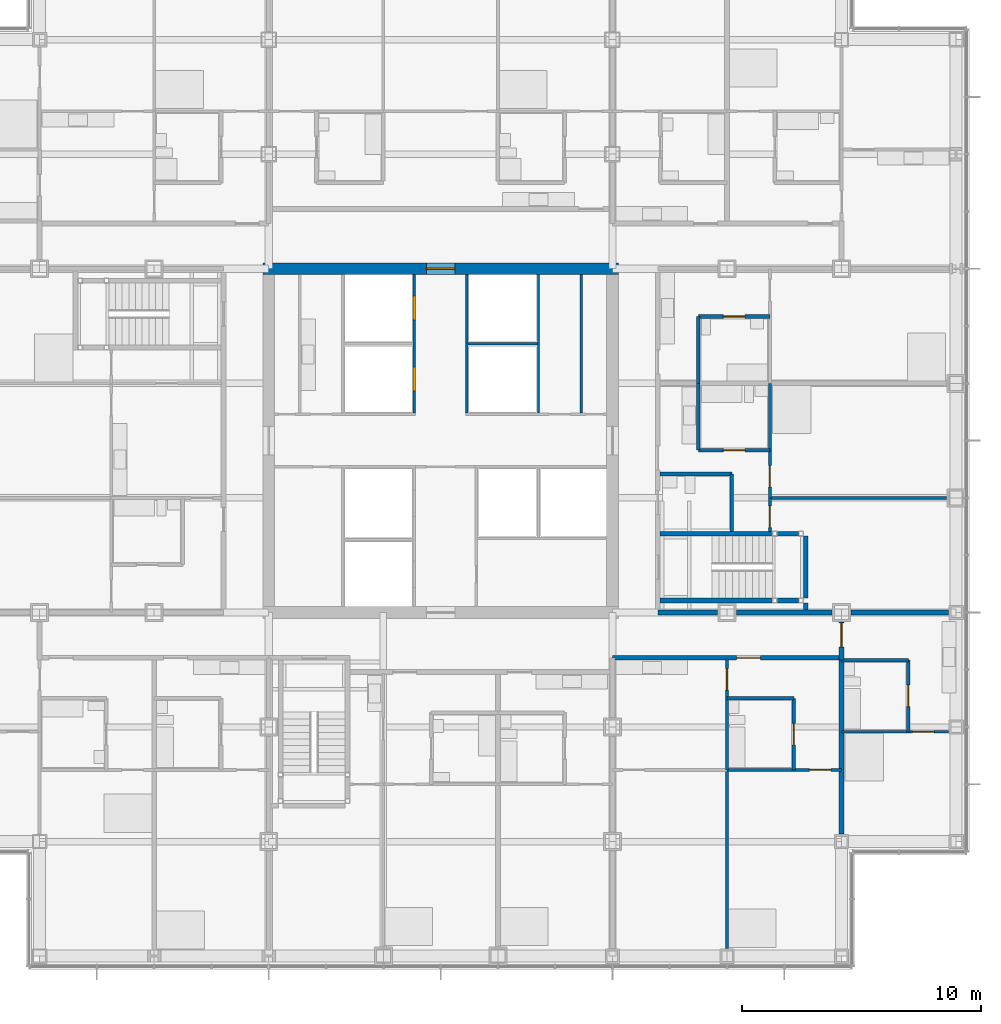
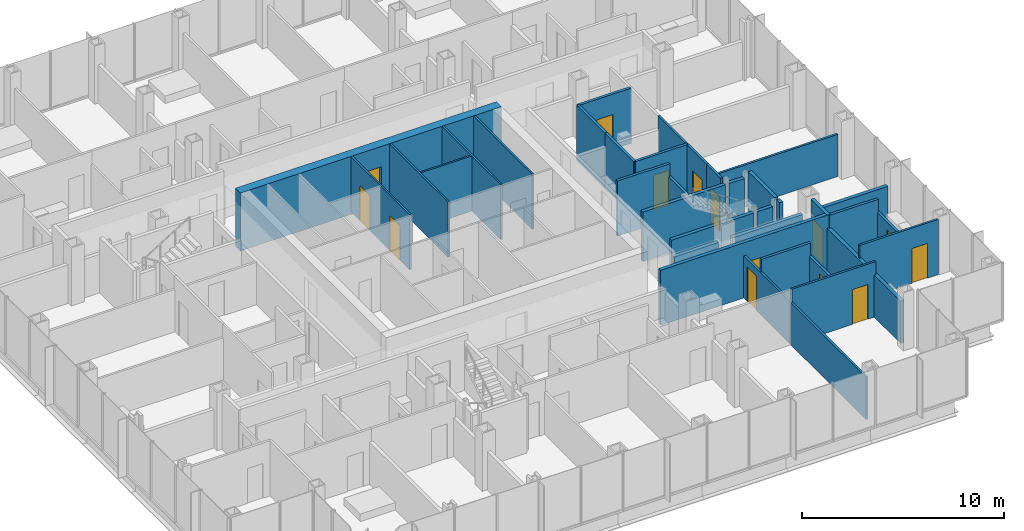
# One storey, part 16 of 21: 35 walls, 14 doors, 14 openings.
"""IFC4 building model written with IfcOpenShell, lengths in metres."""

from ifc_helpers import new_model, si_unit, direction, frame, frame_2d, origin, place, context, subcontext, project, spatial, rectangle, extrude, material, layer, layer_set, type_object, element, fill, save


model = new_model("IFC4")

# Units and contexts
model_context = context("Model", 3, precision=1e-05, world=origin(), true_north=direction((0.0, 1.0)))
body_context = subcontext(model_context, "Body", "Model", "MODEL_VIEW")
ifc_project = project(units=[si_unit("LENGTHUNIT", "METRE"), si_unit("AREAUNIT", "SQUARE_METRE"), si_unit("VOLUMEUNIT", "CUBIC_METRE"), si_unit("PLANEANGLEUNIT", "RADIAN"), si_unit("MASSUNIT", "GRAM", prefix="KILO")], contexts=[model_context])

# Site, building, storey
site_placement = place(None, origin())
site = spatial("IfcSite", under=ifc_project, at=site_placement, CompositionType="ELEMENT")
building_placement = place(site_placement, origin())
building = spatial("IfcBuilding", under=site, at=building_placement, Name="Kvirike Care Tower", CompositionType="ELEMENT")
storey_placement = place(building_placement, frame((0.0, 0.0, 37.5)))
storey = spatial("IfcBuildingStorey", under=building, at=storey_placement, Name="L09", CompositionType="ELEMENT", Elevation=37.5)

# Wall, opening, door
ifc_material_1 = material(Name="Moisture-resistant board partition", Category="gypsum")
ifc_layer_1 = layer(ifc_material_1, 0.14990234375)
ifc_layer_set_1 = layer_set([ifc_layer_1], Name="BATHROOM WALL 150")
wall_type_1 = type_object("IfcWallType", Name="BATHROOM WALL 150", PredefinedType="PARTITIONING", material=ifc_layer_set_1)
wall_1_placement = place(storey_placement, frame((36.39990234375, 22.199951171875, 0.0), z_axis=(0.0, 0.0, 1.0), x_axis=(0.0, 1.0, 0.0)))
wall_1 = element("IfcWall", 1, at=wall_1_placement, inside=storey, type_object=wall_type_1, Name="Bathroom Wall 150 L09", PredefinedType="PARTITIONING", context=body_context, shape_type="SweptSolid", body=[
    extrude(rectangle(XDim=3.0, YDim=0.14990234375, at=frame_2d((1.5, 0.0))), origin(), (0.0, 0.0, 1.0), 2.550048828125),
])
opening_1_placement = place(wall_1_placement, frame((1.050048828125, 0.0, 0.0)))
opening_1 = element("IfcOpeningElement", 2, at=opening_1_placement, cuts=wall_1, Name="Opening 09-039", PredefinedType="OPENING", context=body_context, shape_type="SweptSolid", body=[
    extrude(rectangle(XDim=0.89990234375, YDim=2.10009765625, at=frame_2d((0.449951171875, 1.050048828125))), frame((0.0, 0.08544921875, 0.0), z_axis=(0.0, -1.0, 0.0), x_axis=(1.0, 0.0, 0.0)), (0.0, 0.0, 1.0), 0.1708984375),
])
ifc_material_2 = material(Name="Timber door set", Category="wood")
door_type_1 = type_object("IfcDoorType", Name="BATHROOM DOOR 900", OperationType="SINGLE_SWING_RIGHT", PredefinedType="DOOR", material=ifc_material_2)
door_1_placement = place(opening_1_placement, origin())
door_1 = element("IfcDoor", 3, at=door_1_placement, inside=storey, type_object=door_type_1, Name="Bathroom door", OperationType="SINGLE_SWING_RIGHT", OverallHeight=2.10009765625, OverallWidth=0.89990234375, PredefinedType="DOOR", context=body_context, shape_type="SweptSolid", body=[
    extrude(rectangle(XDim=0.89990234375, YDim=2.10009765625, at=frame_2d((0.449951171875, 1.050048828125))), frame((0.0, 0.02197265625, 0.0), z_axis=(0.0, -1.0, 0.0), x_axis=(1.0, 0.0, 0.0)), (0.0, 0.0, 1.0), 0.0439453125),
])
fill(opening_1, door_1)

# Wall
wall_2_placement = place(storey_placement, frame((33.60009765625, 25.199951171875, 0.0), z_axis=(0.0, 0.0, 1.0), x_axis=(1.0, 0.0, 0.0)))
element("IfcWall", 4, at=wall_2_placement, inside=storey, type_object=wall_type_1, Name="Bathroom Wall 150 L09", PredefinedType="PARTITIONING", context=body_context, shape_type="SweptSolid", body=[
    extrude(rectangle(XDim=2.7998046875, YDim=0.14990234375, at=frame_2d((1.39990234375, 0.0))), origin(), (0.0, 0.0, 1.0), 3.330078125),
])

# Wall, opening, door
wall_3_placement = place(storey_placement, frame((41.199951171875, 23.800048828125, 0.0), z_axis=(0.0, 0.0, 1.0), x_axis=(0.0, 1.0, 0.0)))
wall_3 = element("IfcWall", 5, at=wall_3_placement, inside=storey, type_object=wall_type_1, Name="Bathroom Wall 150 L09", PredefinedType="PARTITIONING", context=body_context, shape_type="SweptSolid", body=[
    extrude(rectangle(XDim=3.0, YDim=0.14990234375, at=frame_2d((1.5, 0.0))), origin(), (0.0, 0.0, 1.0), 2.550048828125),
])
opening_2_placement = place(wall_3_placement, frame((1.050048828125, 0.0, 0.0)))
opening_2 = element("IfcOpeningElement", 6, at=opening_2_placement, cuts=wall_3, Name="Opening 09-043", PredefinedType="OPENING", context=body_context, shape_type="SweptSolid", body=[
    extrude(rectangle(XDim=0.89990234375, YDim=2.10009765625, at=frame_2d((0.449951171875, 1.050048828125))), frame((0.0, 0.08544921875, 0.0), z_axis=(0.0, -1.0, 0.0), x_axis=(1.0, 0.0, 0.0)), (0.0, 0.0, 1.0), 0.1708984375),
])
door_2_placement = place(opening_2_placement, origin())
door_2 = element("IfcDoor", 7, at=door_2_placement, inside=storey, type_object=door_type_1, Name="Bathroom door", OperationType="SINGLE_SWING_RIGHT", OverallHeight=2.10009765625, OverallWidth=0.89990234375, PredefinedType="DOOR", context=body_context, shape_type="SweptSolid", body=[
    extrude(rectangle(XDim=0.89990234375, YDim=2.10009765625, at=frame_2d((0.449951171875, 1.050048828125))), frame((0.0, 0.02197265625, 0.0), z_axis=(0.0, -1.0, 0.0), x_axis=(1.0, 0.0, 0.0)), (0.0, 0.0, 1.0), 0.0439453125),
])
fill(opening_2, door_2)

# Walls
wall_4_placement = place(storey_placement, frame((38.39990234375, 26.800048828125, 0.0), z_axis=(0.0, 0.0, 1.0), x_axis=(1.0, 0.0, 0.0)))
element("IfcWall", 8, at=wall_4_placement, inside=storey, type_object=wall_type_1, Name="Bathroom Wall 150 L09", PredefinedType="PARTITIONING", context=body_context, shape_type="SweptSolid", body=[
    extrude(rectangle(XDim=2.800048828125, YDim=0.14990234375, at=frame_2d((1.39990234375, 0.0))), origin(), (0.0, 0.0, 1.0), 3.330078125),
])
wall_5_placement = place(storey_placement, frame((33.800048828125, 32.199951171875, 0.0), z_axis=(0.0, 0.0, 1.0), x_axis=(0.0, 1.0, 0.0)))
element("IfcWall", 9, at=wall_5_placement, inside=storey, type_object=wall_type_1, Name="Bathroom Wall 150 L09", PredefinedType="PARTITIONING", context=body_context, shape_type="SweptSolid", body=[
    extrude(rectangle(XDim=2.400146484375, YDim=0.14990234375, at=frame_2d((1.2001953125, 0.0))), origin(), (0.0, 0.0, 1.0), 2.550048828125),
])
wall_6_placement = place(storey_placement, frame((33.800048828125, 34.60009765625, 0.0), z_axis=(0.0, 0.0, 1.0), x_axis=(-1.0, 0.0, 0.0)))
element("IfcWall", 10, at=wall_6_placement, inside=storey, type_object=wall_type_1, Name="Bathroom Wall 150 L09", PredefinedType="PARTITIONING", context=body_context, shape_type="SweptSolid", body=[
    extrude(rectangle(XDim=3.0, YDim=0.14990234375, at=frame_2d((1.5, 0.0))), origin(), (0.0, 0.0, 1.0), 3.330078125),
])

# Wall, opening, door
wall_7_placement = place(storey_placement, frame((35.39990234375, 35.60009765625, 0.0), z_axis=(0.0, 0.0, 1.0), x_axis=(-1.0, 0.0, 0.0)))
wall_7 = element("IfcWall", 11, at=wall_7_placement, inside=storey, type_object=wall_type_1, Name="Bathroom Wall 150 L09", PredefinedType="PARTITIONING", context=body_context, shape_type="SweptSolid", body=[
    extrude(rectangle(XDim=3.0, YDim=0.14990234375, at=frame_2d((1.5, 0.0))), origin(), (0.0, 0.0, 1.0), 3.330078125),
])
opening_3_placement = place(wall_7_placement, frame((1.050048828125, 0.0, 0.0)))
opening_3 = element("IfcOpeningElement", 12, at=opening_3_placement, cuts=wall_7, Name="Opening 09-047", PredefinedType="OPENING", context=body_context, shape_type="SweptSolid", body=[
    extrude(rectangle(XDim=0.89990234375, YDim=2.10009765625, at=frame_2d((0.449951171875, 1.050048828125))), frame((0.0, 0.08544921875, 0.0), z_axis=(0.0, -1.0, 0.0), x_axis=(1.0, 0.0, 0.0)), (0.0, 0.0, 1.0), 0.1708984375),
])
door_3_placement = place(opening_3_placement, frame((0.89990234375, 0.0, 0.0), z_axis=(0.0, 0.0, 1.0), x_axis=(-1.0, 0.0, 0.0)))
door_3 = element("IfcDoor", 13, at=door_3_placement, inside=storey, type_object=door_type_1, Name="Bathroom door", OperationType="SINGLE_SWING_LEFT", OverallHeight=2.10009765625, OverallWidth=0.89990234375, PredefinedType="DOOR", context=body_context, shape_type="SweptSolid", body=[
    extrude(rectangle(XDim=0.89990234375, YDim=2.10009765625, at=frame_2d((0.449951171875, 1.050048828125))), frame((0.0, 0.02197265625, 0.0), z_axis=(0.0, -1.0, 0.0), x_axis=(1.0, 0.0, 0.0)), (0.0, 0.0, 1.0), 0.0439453125),
])
fill(opening_3, door_3)

# Wall
wall_8_placement = place(storey_placement, frame((32.39990234375, 35.60009765625, 0.0), z_axis=(0.0, 0.0, 1.0), x_axis=(0.0, 1.0, 0.0)))
element("IfcWall", 14, at=wall_8_placement, inside=storey, type_object=wall_type_1, Name="Bathroom Wall 150 L09", PredefinedType="PARTITIONING", context=body_context, shape_type="SweptSolid", body=[
    extrude(rectangle(XDim=2.7998046875, YDim=0.14990234375, at=frame_2d((1.39990234375, 0.0))), origin(), (0.0, 0.0, 1.0), 3.330078125),
])

# Wall, opening, door
wall_9_placement = place(storey_placement, frame((35.39990234375, 41.199951171875, 0.0), z_axis=(0.0, 0.0, 1.0), x_axis=(-1.0, 0.0, 0.0)))
wall_9 = element("IfcWall", 15, at=wall_9_placement, inside=storey, type_object=wall_type_1, Name="Bathroom Wall 150 L09", PredefinedType="PARTITIONING", context=body_context, shape_type="SweptSolid", body=[
    extrude(rectangle(XDim=3.0, YDim=0.14990234375, at=frame_2d((1.5, 0.0))), origin(), (0.0, 0.0, 1.0), 3.330078125),
])
opening_4_placement = place(wall_9_placement, frame((1.050048828125, 0.0, 0.0)))
opening_4 = element("IfcOpeningElement", 16, at=opening_4_placement, cuts=wall_9, Name="Opening 09-050", PredefinedType="OPENING", context=body_context, shape_type="SweptSolid", body=[
    extrude(rectangle(XDim=0.89990234375, YDim=2.10009765625, at=frame_2d((0.449951171875, 1.050048828125))), frame((0.0, 0.08544921875, 0.0), z_axis=(0.0, -1.0, 0.0), x_axis=(1.0, 0.0, 0.0)), (0.0, 0.0, 1.0), 0.1708984375),
])
door_4_placement = place(opening_4_placement, origin())
door_4 = element("IfcDoor", 17, at=door_4_placement, inside=storey, type_object=door_type_1, Name="Bathroom door", OperationType="SINGLE_SWING_RIGHT", OverallHeight=2.10009765625, OverallWidth=0.89990234375, PredefinedType="DOOR", context=body_context, shape_type="SweptSolid", body=[
    extrude(rectangle(XDim=0.89990234375, YDim=2.10009765625, at=frame_2d((0.449951171875, 1.050048828125))), frame((0.0, 0.02197265625, 0.0), z_axis=(0.0, -1.0, 0.0), x_axis=(1.0, 0.0, 0.0)), (0.0, 0.0, 1.0), 0.0439453125),
])
fill(opening_4, door_4)

# Wall
wall_10_placement = place(storey_placement, frame((32.39990234375, 38.39990234375, 0.0), z_axis=(0.0, 0.0, 1.0), x_axis=(0.0, 1.0, 0.0)))
element("IfcWall", 18, at=wall_10_placement, inside=storey, type_object=wall_type_1, Name="Bathroom Wall 150 L09", PredefinedType="PARTITIONING", context=body_context, shape_type="SweptSolid", body=[
    extrude(rectangle(XDim=2.800048828125, YDim=0.14990234375, at=frame_2d((1.39990234375, 0.0))), origin(), (0.0, 0.0, 1.0), 3.330078125),
])

# Wall, opening, door
ifc_material_3 = material(Name="Concrete C60/75", Category="concrete")
ifc_layer_2 = layer(ifc_material_3, 0.5)
ifc_layer_set_2 = layer_set([ifc_layer_2], Name="CORE WALL 500 C60-75")
wall_type_2 = type_object("IfcWallType", Name="CORE WALL 500 C60-75", PredefinedType="SHEAR", material=ifc_layer_set_2)
wall_11_placement = place(storey_placement, frame((29.050048828125, 43.199951171875, -0.169921875), z_axis=(0.0, 0.0, 1.0), x_axis=(-1.0, 0.0, 0.0)))
wall_11 = element("IfcWall", 19, at=wall_11_placement, inside=storey, type_object=wall_type_2, Name="Core wall N L09", PredefinedType="SHEAR", context=body_context, shape_type="SweptSolid", body=[
    extrude(rectangle(XDim=14.900146484375, YDim=0.5, at=frame_2d((7.4501953125, 0.0))), origin(), (0.0, 0.0, 1.0), 3.5),
])
opening_5_placement = place(wall_11_placement, frame((6.85009765625, 0.0, 0.169921875)))
opening_5 = element("IfcOpeningElement", 20, at=opening_5_placement, cuts=wall_11, Name="Opening 09-078", PredefinedType="OPENING", context=body_context, shape_type="SweptSolid", body=[
    extrude(rectangle(XDim=1.199951171875, YDim=2.10009765625, at=frame_2d((0.60009765625, 1.050048828125))), frame((0.0, 0.260498046875, 0.0), z_axis=(0.0, -1.0, 0.0), x_axis=(1.0, 0.0, 0.0)), (0.0, 0.0, 1.0), 0.52099609375),
])
ifc_material_4 = material(Name="Timber door set", Category="wood")
door_type_2 = type_object("IfcDoorType", Name="CORE DOOR 1200", OperationType="SINGLE_SWING_LEFT", PredefinedType="DOOR", material=ifc_material_4)
door_5_placement = place(opening_5_placement, origin())
door_5 = element("IfcDoor", 21, at=door_5_placement, inside=storey, type_object=door_type_2, Name="Core door N L09", OperationType="SINGLE_SWING_LEFT", OverallHeight=2.10009765625, OverallWidth=1.199951171875, PredefinedType="DOOR", context=body_context, shape_type="SweptSolid", body=[
    extrude(rectangle(XDim=1.199951171875, YDim=2.10009765625, at=frame_2d((0.60009765625, 1.050048828125))), frame((0.0, 0.02685546875, 0.0), z_axis=(0.0, -1.0, 0.0), x_axis=(1.0, 0.0, 0.0)), (0.0, 0.0, 1.0), 0.053955078125),
])
fill(opening_5, door_5)

ifc_material_5 = material(Name="Plasterboard corridor wall", Category="gypsum")
ifc_layer_3 = layer(ifc_material_5, 0.199951171875)
ifc_layer_set_3 = layer_set([ifc_layer_3], Name="CORRIDOR WALL 200")
wall_type_3 = type_object("IfcWallType", Name="CORRIDOR WALL 200", PredefinedType="PARTITIONING", material=ifc_layer_set_3)
wall_12_placement = place(storey_placement, frame((28.800048828125, 26.89990234375, 0.0), z_axis=(0.0, 0.0, 1.0), x_axis=(1.0, 0.0, 0.0)))
wall_12 = element("IfcWall", 22, at=wall_12_placement, inside=storey, type_object=wall_type_3, Name="Corridor Wall 200 L09", PredefinedType="PARTITIONING", context=body_context, shape_type="SweptSolid", body=[
    extrude(rectangle(XDim=9.599853515625, YDim=0.199951171875, at=frame_2d((4.7998046875, 0.0))), origin(), (0.0, 0.0, 1.0), 3.330078125),
])
opening_6_placement = place(wall_12_placement, frame((5.199951171875, 0.0, 0.0)))
opening_6 = element("IfcOpeningElement", 23, at=opening_6_placement, cuts=wall_12, Name="Opening 09-045", PredefinedType="OPENING", context=body_context, shape_type="SweptSolid", body=[
    extrude(rectangle(XDim=1.0, YDim=2.10009765625, at=frame_2d((0.5, 1.050048828125))), frame((0.0, 0.110595703125, 0.0), z_axis=(0.0, -1.0, 0.0), x_axis=(1.0, 0.0, 0.0)), (0.0, 0.0, 1.0), 0.220947265625),
])
ifc_material_6 = material(Name="Timber door set", Category="wood")
door_type_3 = type_object("IfcDoorType", Name="FLAT ENTRANCE DOOR 1000", OperationType="SINGLE_SWING_LEFT", PredefinedType="DOOR", material=ifc_material_6)
door_6_placement = place(opening_6_placement, frame((1.0, 0.0, 0.0), z_axis=(0.0, 0.0, 1.0), x_axis=(-1.0, 0.0, 0.0)))
door_6 = element("IfcDoor", 24, at=door_6_placement, inside=storey, type_object=door_type_3, Name="One-bedroom apartment entrance", OperationType="SINGLE_SWING_LEFT", OverallHeight=2.10009765625, OverallWidth=1.0, PredefinedType="DOOR", context=body_context, shape_type="SweptSolid", body=[
    extrude(rectangle(XDim=1.0, YDim=2.10009765625, at=frame_2d((0.5, 1.050048828125))), frame((0.0, 0.02685546875, 0.0), z_axis=(0.0, -1.0, 0.0), x_axis=(1.0, 0.0, 0.0)), (0.0, 0.0, 1.0), 0.053955078125),
])
fill(opening_6, door_6)

wall_13_placement = place(storey_placement, frame((38.39990234375, 26.800048828125, 0.0), z_axis=(0.0, 0.0, 1.0), x_axis=(0.0, 1.0, 0.0)))
wall_13 = element("IfcWall", 25, at=wall_13_placement, inside=storey, type_object=wall_type_3, Name="Corridor Wall 200 L09", PredefinedType="PARTITIONING", context=body_context, shape_type="SweptSolid", body=[
    extrude(rectangle(XDim=1.60498046875, YDim=0.199951171875, at=frame_2d((0.802490234375, 0.0))), origin(), (0.0, 0.0, 1.0), 3.330078125),
])
opening_7_placement = place(wall_13_placement, frame((0.550048828125, 0.0, 0.0)))
opening_7 = element("IfcOpeningElement", 26, at=opening_7_placement, cuts=wall_13, Name="Opening 09-046", PredefinedType="OPENING", context=body_context, shape_type="SweptSolid", body=[
    extrude(rectangle(XDim=1.0, YDim=2.10009765625, at=frame_2d((0.5, 1.050048828125))), frame((0.0, 0.110595703125, 0.0), z_axis=(0.0, -1.0, 0.0), x_axis=(1.0, 0.0, 0.0)), (0.0, 0.0, 1.0), 0.220947265625),
])
door_7_placement = place(opening_7_placement, frame((1.0, 0.0, 0.0), z_axis=(0.0, 0.0, 1.0), x_axis=(-1.0, 0.0, 0.0)))
door_7 = element("IfcDoor", 27, at=door_7_placement, inside=storey, type_object=door_type_3, Name="Studio apartment entrance", OperationType="SINGLE_SWING_RIGHT", OverallHeight=2.10009765625, OverallWidth=1.0, PredefinedType="DOOR", context=body_context, shape_type="SweptSolid", body=[
    extrude(rectangle(XDim=1.0, YDim=2.10009765625, at=frame_2d((0.5, 1.050048828125))), frame((0.0, 0.02685546875, 0.0), z_axis=(0.0, -1.0, 0.0), x_axis=(1.0, 0.0, 0.0)), (0.0, 0.0, 1.0), 0.053955078125),
])
fill(opening_7, door_7)

ifc_material_7 = material(Name="Plasterboard partition", Category="gypsum")
ifc_layer_4 = layer(ifc_material_7, 0.1201171875)
ifc_layer_set_4 = layer_set([ifc_layer_4], Name="PARTITION 120")
wall_type_4 = type_object("IfcWallType", Name="PARTITION 120", PredefinedType="PARTITIONING", material=ifc_layer_set_4)
wall_14_placement = place(storey_placement, frame((33.60009765625, 22.199951171875, 0.0), z_axis=(0.0, 0.0, 1.0), x_axis=(0.0, 1.0, 0.0)))
wall_14 = element("IfcWall", 28, at=wall_14_placement, inside=storey, type_object=wall_type_4, Name="Partition 120 L09", PredefinedType="PARTITIONING", context=body_context, shape_type="SweptSolid", body=[
    extrude(rectangle(XDim=4.650146484375, YDim=0.1201171875, at=frame_2d((2.3251953125, 0.0))), origin(), (0.0, 0.0, 1.0), 2.550048828125),
])
opening_8_placement = place(wall_14_placement, frame((3.35009765625, 0.0, 0.0)))
opening_8 = element("IfcOpeningElement", 29, at=opening_8_placement, cuts=wall_14, Name="Opening 09-040", PredefinedType="OPENING", context=body_context, shape_type="SweptSolid", body=[
    extrude(rectangle(XDim=0.89990234375, YDim=2.10009765625, at=frame_2d((0.449951171875, 1.050048828125))), frame((0.0, 0.070556640625, 0.0), z_axis=(0.0, -1.0, 0.0), x_axis=(1.0, 0.0, 0.0)), (0.0, 0.0, 1.0), 0.14111328125),
])
ifc_material_8 = material(Name="Timber door set", Category="wood")
door_type_4 = type_object("IfcDoorType", Name="INTERNAL DOOR 900", OperationType="SINGLE_SWING_LEFT", PredefinedType="DOOR", material=ifc_material_8)
door_8_placement = place(opening_8_placement, origin())
door_8 = element("IfcDoor", 30, at=door_8_placement, inside=storey, type_object=door_type_4, Name="Hall door", OperationType="SINGLE_SWING_LEFT", OverallHeight=2.10009765625, OverallWidth=0.89990234375, PredefinedType="DOOR", context=body_context, shape_type="SweptSolid", body=[
    extrude(rectangle(XDim=0.89990234375, YDim=2.10009765625, at=frame_2d((0.449951171875, 1.050048828125))), frame((0.0, 0.02197265625, 0.0), z_axis=(0.0, -1.0, 0.0), x_axis=(1.0, 0.0, 0.0)), (0.0, 0.0, 1.0), 0.0439453125),
])
fill(opening_8, door_8)

wall_15_placement = place(storey_placement, frame((33.60009765625, 22.199951171875, 0.0), z_axis=(0.0, 0.0, 1.0), x_axis=(1.0, 0.0, 0.0)))
wall_15 = element("IfcWall", 31, at=wall_15_placement, inside=storey, type_object=wall_type_4, Name="Partition 120 L09", PredefinedType="PARTITIONING", context=body_context, shape_type="SweptSolid", body=[
    extrude(rectangle(XDim=4.7998046875, YDim=0.1201171875, at=frame_2d((2.39990234375, 0.0))), origin(), (0.0, 0.0, 1.0), 3.330078125),
])
opening_9_placement = place(wall_15_placement, frame((3.449951171875, 0.0, 0.0)))
opening_9 = element("IfcOpeningElement", 32, at=opening_9_placement, cuts=wall_15, Name="Opening 09-042", PredefinedType="OPENING", context=body_context, shape_type="SweptSolid", body=[
    extrude(rectangle(XDim=0.89990234375, YDim=2.10009765625, at=frame_2d((0.449951171875, 1.050048828125))), frame((0.0, 0.070556640625, 0.0), z_axis=(0.0, -1.0, 0.0), x_axis=(1.0, 0.0, 0.0)), (0.0, 0.0, 1.0), 0.14111328125),
])
door_9_placement = place(opening_9_placement, origin())
door_9 = element("IfcDoor", 33, at=door_9_placement, inside=storey, type_object=door_type_4, Name="Apartment bedroom door", OperationType="SINGLE_SWING_LEFT", OverallHeight=2.10009765625, OverallWidth=0.89990234375, PredefinedType="DOOR", context=body_context, shape_type="SweptSolid", body=[
    extrude(rectangle(XDim=0.89990234375, YDim=2.10009765625, at=frame_2d((0.449951171875, 1.050048828125))), frame((0.0, 0.02197265625, 0.0), z_axis=(0.0, -1.0, 0.0), x_axis=(1.0, 0.0, 0.0)), (0.0, 0.0, 1.0), 0.0439453125),
])
fill(opening_9, door_9)

# Wall
wall_16_placement = place(storey_placement, frame((33.60009765625, 14.719970703125, 0.0), z_axis=(0.0, 0.0, 1.0), x_axis=(0.0, 1.0, 0.0)))
element("IfcWall", 34, at=wall_16_placement, inside=storey, type_object=wall_type_4, Name="Partition 120 L09", PredefinedType="PARTITIONING", context=body_context, shape_type="SweptSolid", body=[
    extrude(rectangle(XDim=7.47998046875, YDim=0.1201171875, at=frame_2d((3.739990234375, 0.0))), origin(), (0.0, 0.0, 1.0), 2.550048828125),
])

# Wall, opening, door
wall_17_placement = place(storey_placement, frame((38.39990234375, 23.800048828125, 0.0), z_axis=(0.0, 0.0, 1.0), x_axis=(1.0, 0.0, 0.0)))
wall_17 = element("IfcWall", 35, at=wall_17_placement, inside=storey, type_object=wall_type_4, Name="Partition 120 L09", PredefinedType="PARTITIONING", context=body_context, shape_type="SweptSolid", body=[
    extrude(rectangle(XDim=4.47998046875, YDim=0.1201171875, at=frame_2d((2.239990234375, 0.0))), origin(), (0.0, 0.0, 1.0), 3.330078125),
])
opening_10_placement = place(wall_17_placement, frame((2.97509765625, 0.0, 0.0)))
opening_10 = element("IfcOpeningElement", 36, at=opening_10_placement, cuts=wall_17, Name="Opening 09-044", PredefinedType="OPENING", context=body_context, shape_type="SweptSolid", body=[
    extrude(rectangle(XDim=0.89990234375, YDim=2.10009765625, at=frame_2d((0.449951171875, 1.050048828125))), frame((0.0, 0.070556640625, 0.0), z_axis=(0.0, -1.0, 0.0), x_axis=(1.0, 0.0, 0.0)), (0.0, 0.0, 1.0), 0.14111328125),
])
door_10_placement = place(opening_10_placement, origin())
door_10 = element("IfcDoor", 37, at=door_10_placement, inside=storey, type_object=door_type_4, Name="Studio apartment living room door", OperationType="SINGLE_SWING_RIGHT", OverallHeight=2.10009765625, OverallWidth=0.89990234375, PredefinedType="DOOR", context=body_context, shape_type="SweptSolid", body=[
    extrude(rectangle(XDim=0.89990234375, YDim=2.10009765625, at=frame_2d((0.449951171875, 1.050048828125))), frame((0.0, 0.02197265625, 0.0), z_axis=(0.0, -1.0, 0.0), x_axis=(1.0, 0.0, 0.0)), (0.0, 0.0, 1.0), 0.0439453125),
])
fill(opening_10, door_10)

wall_18_placement = place(storey_placement, frame((35.39990234375, 32.199951171875, 0.0), z_axis=(0.0, 0.0, 1.0), x_axis=(0.0, 1.0, 0.0)))
wall_18 = element("IfcWall", 38, at=wall_18_placement, inside=storey, type_object=wall_type_4, Name="Partition 120 L09", PredefinedType="PARTITIONING", context=body_context, shape_type="SweptSolid", body=[
    extrude(rectangle(XDim=1.400146484375, YDim=0.1201171875, at=frame_2d((0.7001953125, 0.0))), origin(), (0.0, 0.0, 1.0), 3.330078125),
])
opening_11_placement = place(wall_18_placement, frame((0.14990234375, 0.0, 0.0)))
opening_11 = element("IfcOpeningElement", 39, at=opening_11_placement, cuts=wall_18, Name="Opening 09-048", PredefinedType="OPENING", context=body_context, shape_type="SweptSolid", body=[
    extrude(rectangle(XDim=0.89990234375, YDim=2.10009765625, at=frame_2d((0.449951171875, 1.050048828125))), frame((0.0, 0.070556640625, 0.0), z_axis=(0.0, -1.0, 0.0), x_axis=(1.0, 0.0, 0.0)), (0.0, 0.0, 1.0), 0.14111328125),
])
door_11_placement = place(opening_11_placement, origin())
door_11 = element("IfcDoor", 40, at=door_11_placement, inside=storey, type_object=door_type_4, Name="Apartment living room door", OperationType="SINGLE_SWING_RIGHT", OverallHeight=2.10009765625, OverallWidth=0.89990234375, PredefinedType="DOOR", context=body_context, shape_type="SweptSolid", body=[
    extrude(rectangle(XDim=0.89990234375, YDim=2.10009765625, at=frame_2d((0.449951171875, 1.050048828125))), frame((0.0, 0.02197265625, 0.0), z_axis=(0.0, -1.0, 0.0), x_axis=(1.0, 0.0, 0.0)), (0.0, 0.0, 1.0), 0.0439453125),
])
fill(opening_11, door_11)

wall_19_placement = place(storey_placement, frame((35.39990234375, 33.60009765625, 0.0), z_axis=(0.0, 0.0, 1.0), x_axis=(0.0, 1.0, 0.0)))
wall_19 = element("IfcWall", 41, at=wall_19_placement, inside=storey, type_object=wall_type_4, Name="Partition 120 L09", PredefinedType="PARTITIONING", context=body_context, shape_type="SweptSolid", body=[
    extrude(rectangle(XDim=4.7998046875, YDim=0.1201171875, at=frame_2d((2.39990234375, 0.0))), origin(), (0.0, 0.0, 1.0), 3.330078125),
])
opening_12_placement = place(wall_19_placement, frame((0.449951171875, 0.0, 0.0)))
opening_12 = element("IfcOpeningElement", 42, at=opening_12_placement, cuts=wall_19, Name="Opening 09-049", PredefinedType="OPENING", context=body_context, shape_type="SweptSolid", body=[
    extrude(rectangle(XDim=0.89990234375, YDim=2.10009765625, at=frame_2d((0.449951171875, 1.050048828125))), frame((0.0, 0.070556640625, 0.0), z_axis=(0.0, -1.0, 0.0), x_axis=(1.0, 0.0, 0.0)), (0.0, 0.0, 1.0), 0.14111328125),
])
door_12_placement = place(opening_12_placement, origin())
door_12 = element("IfcDoor", 43, at=door_12_placement, inside=storey, type_object=door_type_4, Name="Apartment bedroom door", OperationType="SINGLE_SWING_LEFT", OverallHeight=2.10009765625, OverallWidth=0.89990234375, PredefinedType="DOOR", context=body_context, shape_type="SweptSolid", body=[
    extrude(rectangle(XDim=0.89990234375, YDim=2.10009765625, at=frame_2d((0.449951171875, 1.050048828125))), frame((0.0, 0.02197265625, 0.0), z_axis=(0.0, -1.0, 0.0), x_axis=(1.0, 0.0, 0.0)), (0.0, 0.0, 1.0), 0.0439453125),
])
fill(opening_12, door_12)

# Walls
wall_20_placement = place(storey_placement, frame((42.804931640625, 33.60009765625, 0.0), z_axis=(0.0, 0.0, 1.0), x_axis=(-1.0, 0.0, 0.0)))
element("IfcWall", 44, at=wall_20_placement, inside=storey, type_object=wall_type_4, Name="Partition 120 L09", PredefinedType="PARTITIONING", context=body_context, shape_type="SweptSolid", body=[
    extrude(rectangle(XDim=7.405029296875, YDim=0.1201171875, at=frame_2d((3.70263671875, 0.0))), origin(), (0.0, 0.0, 1.0), 2.550048828125),
])
ifc_material_9 = material(Name="Plasterboard party wall", Category="gypsum")
ifc_layer_5 = layer(ifc_material_9, 0.199951171875)
ifc_layer_set_5 = layer_set([ifc_layer_5], Name="PARTY WALL 200")
wall_type_5 = type_object("IfcWallType", Name="PARTY WALL 200", PredefinedType="PARTITIONING", material=ifc_layer_set_5)
wall_21_placement = place(storey_placement, frame((38.39990234375, 19.52001953125, 0.0), z_axis=(0.0, 0.0, 1.0), x_axis=(0.0, 1.0, 0.0)))
element("IfcWall", 45, at=wall_21_placement, inside=storey, type_object=wall_type_5, Name="Party Wall 200 L09", PredefinedType="PARTITIONING", context=body_context, shape_type="SweptSolid", body=[
    extrude(rectangle(XDim=7.280029296875, YDim=0.199951171875, at=frame_2d((3.64013671875, 0.0))), origin(), (0.0, 0.0, 1.0), 2.550048828125),
])
wall_22_placement = place(storey_placement, frame((42.8798828125, 28.800048828125, 0.0), z_axis=(0.0, 0.0, 1.0), x_axis=(-1.0, 0.0, 0.0)))
element("IfcWall", 46, at=wall_22_placement, inside=storey, type_object=wall_type_5, Name="Party Wall 200 L09", PredefinedType="PARTITIONING", context=body_context, shape_type="SweptSolid", body=[
    extrude(rectangle(XDim=4.0849609375, YDim=0.199951171875, at=frame_2d((2.04248046875, 0.0))), origin(), (0.0, 0.0, 1.0), 2.320068359375),
])
wall_23_placement = place(storey_placement, frame((38.0048828125, 28.800048828125, 0.0), z_axis=(0.0, 0.0, 1.0), x_axis=(-1.0, 0.0, 0.0)))
element("IfcWall", 47, at=wall_23_placement, inside=storey, type_object=wall_type_5, Name="Party Wall 200 L09", PredefinedType="PARTITIONING", context=body_context, shape_type="SweptSolid", body=[
    extrude(rectangle(XDim=4.009765625, YDim=0.199951171875, at=frame_2d((2.0048828125, 0.0))), origin(), (0.0, 0.0, 1.0), 2.320068359375),
])
wall_24_placement = place(storey_placement, frame((33.205078125, 28.800048828125, 0.0), z_axis=(0.0, 0.0, 1.0), x_axis=(-1.0, 0.0, 0.0)))
element("IfcWall", 48, at=wall_24_placement, inside=storey, type_object=wall_type_5, Name="Party Wall 200 L09", PredefinedType="PARTITIONING", context=body_context, shape_type="SweptSolid", body=[
    extrude(rectangle(XDim=2.505126953125, YDim=0.199951171875, at=frame_2d((1.25244140625, 0.0))), origin(), (0.0, 0.0, 1.0), 2.320068359375),
])
ifc_material_10 = material(Name="Gypsum shaft wall system", Category="gypsum")
ifc_layer_6 = layer(ifc_material_10, 0.10009765625)
ifc_layer_set_6 = layer_set([ifc_layer_6], Name="SHAFT WALL 100")
wall_type_6 = type_object("IfcWallType", Name="SHAFT WALL 100", PredefinedType="SOLIDWALL", material=ifc_layer_set_6)
wall_25_placement = place(storey_placement, frame((27.5, 37.14990234375, 0.0), z_axis=(0.0, 0.0, 1.0), x_axis=(0.0, 1.0, 0.0)))
element("IfcWall", 49, at=wall_25_placement, inside=storey, type_object=wall_type_6, Name="Shaft Wall 100 L09", PredefinedType="SOLIDWALL", context=body_context, shape_type="SweptSolid", body=[
    extrude(rectangle(XDim=5.800048828125, YDim=0.10009765625, at=frame_2d((2.89990234375, 0.0))), origin(), (0.0, 0.0, 1.0), 3.330078125),
])

# Wall, openings, doors
wall_26_placement = place(storey_placement, frame((20.5, 37.14990234375, 0.0), z_axis=(0.0, 0.0, 1.0), x_axis=(0.0, 1.0, 0.0)))
wall_26 = element("IfcWall", 50, at=wall_26_placement, inside=storey, type_object=wall_type_6, Name="Shaft Wall 100 L09", PredefinedType="SOLIDWALL", context=body_context, shape_type="SweptSolid", body=[
    extrude(rectangle(XDim=5.800048828125, YDim=0.10009765625, at=frame_2d((2.89990234375, 0.0))), origin(), (0.0, 0.0, 1.0), 3.330078125),
])
opening_13_placement = place(wall_26_placement, frame((0.925048828125, 0.0, 0.0)))
opening_13 = element("IfcOpeningElement", 51, at=opening_13_placement, cuts=wall_26, Name="Opening 09-066", PredefinedType="OPENING", context=body_context, shape_type="SweptSolid", body=[
    extrude(rectangle(XDim=1.0, YDim=2.10009765625, at=frame_2d((0.5, 1.050048828125))), frame((0.0, 0.060546875, 0.0), z_axis=(0.0, -1.0, 0.0), x_axis=(1.0, 0.0, 0.0)), (0.0, 0.0, 1.0), 0.12109375),
])
opening_14_placement = place(wall_26_placement, frame((3.89990234375, 0.0, 0.0)))
opening_14 = element("IfcOpeningElement", 52, at=opening_14_placement, cuts=wall_26, Name="Opening 09-067", PredefinedType="OPENING", context=body_context, shape_type="SweptSolid", body=[
    extrude(rectangle(XDim=1.0, YDim=2.10009765625, at=frame_2d((0.5, 1.050048828125))), frame((0.0, 0.060546875, 0.0), z_axis=(0.0, -1.0, 0.0), x_axis=(1.0, 0.0, 0.0)), (0.0, 0.0, 1.0), 0.12109375),
])
ifc_material_11 = material(Name="Aluminium door frame", Category="aluminium")
door_type_5 = type_object("IfcDoorType", Name="LIFT LANDING DOOR 1000", OperationType="SLIDING_TO_LEFT", PredefinedType="DOOR", material=ifc_material_11)
door_13_placement = place(opening_13_placement, origin())
door_13 = element("IfcDoor", 53, at=door_13_placement, inside=storey, type_object=door_type_5, Name="Lift P1 landing door", OperationType="SLIDING_TO_LEFT", OverallHeight=2.10009765625, OverallWidth=1.0, PredefinedType="DOOR", context=body_context, shape_type="SweptSolid", body=[
    extrude(rectangle(XDim=1.0, YDim=2.10009765625, at=frame_2d((0.5, 1.050048828125))), frame((0.0, 0.0498046875, 0.0), z_axis=(0.0, -1.0, 0.0), x_axis=(1.0, 0.0, 0.0)), (0.0, 0.0, 1.0), 0.099609375),
])
fill(opening_13, door_13)
door_14_placement = place(opening_14_placement, origin())
door_14 = element("IfcDoor", 54, at=door_14_placement, inside=storey, type_object=door_type_5, Name="Lift P2 landing door", OperationType="SLIDING_TO_LEFT", OverallHeight=2.10009765625, OverallWidth=1.0, PredefinedType="DOOR", context=body_context, shape_type="SweptSolid", body=[
    extrude(rectangle(XDim=1.0, YDim=2.10009765625, at=frame_2d((0.5, 1.050048828125))), frame((0.0, 0.0498046875, 0.0), z_axis=(0.0, -1.0, 0.0), x_axis=(1.0, 0.0, 0.0)), (0.0, 0.0, 1.0), 0.099609375),
])
fill(opening_14, door_14)

# Walls
wall_27_placement = place(storey_placement, frame((22.699951171875, 37.14990234375, 0.0), z_axis=(0.0, 0.0, 1.0), x_axis=(0.0, 1.0, 0.0)))
element("IfcWall", 55, at=wall_27_placement, inside=storey, type_object=wall_type_6, Name="Shaft Wall 100 L09", PredefinedType="SOLIDWALL", context=body_context, shape_type="SweptSolid", body=[
    extrude(rectangle(XDim=5.800048828125, YDim=0.10009765625, at=frame_2d((2.89990234375, 0.0))), origin(), (0.0, 0.0, 1.0), 3.330078125),
])
wall_28_placement = place(storey_placement, frame((22.75, 40.050048828125, 0.0), z_axis=(0.0, 0.0, 1.0), x_axis=(1.0, 0.0, 0.0)))
element("IfcWall", 56, at=wall_28_placement, inside=storey, type_object=wall_type_6, Name="Shaft Wall 100 L09", PredefinedType="SOLIDWALL", context=body_context, shape_type="SweptSolid", body=[
    extrude(rectangle(XDim=2.89990234375, YDim=0.10009765625, at=frame_2d((1.449951171875, 0.0))), origin(), (0.0, 0.0, 1.0), 3.330078125),
])
wall_29_placement = place(storey_placement, frame((25.699951171875, 37.14990234375, 0.0), z_axis=(0.0, 0.0, 1.0), x_axis=(0.0, 1.0, 0.0)))
element("IfcWall", 57, at=wall_29_placement, inside=storey, type_object=wall_type_6, Name="Shaft Wall 100 L09", PredefinedType="SOLIDWALL", context=body_context, shape_type="SweptSolid", body=[
    extrude(rectangle(XDim=5.800048828125, YDim=0.10009765625, at=frame_2d((2.89990234375, 0.0))), origin(), (0.0, 0.0, 1.0), 3.330078125),
])
ifc_material_12 = material(Name="Concrete C40/50", Category="concrete")
ifc_layer_7 = layer(ifc_material_12, 0.199951171875)
ifc_layer_set_7 = layer_set([ifc_layer_7], Name="STAIR WALL 200")
wall_type_7 = type_object("IfcWallType", Name="STAIR WALL 200", PredefinedType="SOLIDWALL", material=ifc_layer_set_7)
wall_30_placement = place(storey_placement, frame((36.60009765625, 29.300048828125, 0.0), z_axis=(0.0, 0.0, 1.0), x_axis=(-1.0, 0.0, 0.0)))
element("IfcWall", 58, at=wall_30_placement, inside=storey, type_object=wall_type_7, Name="Stair Wall 200 L09", PredefinedType="SOLIDWALL", context=body_context, shape_type="SweptSolid", body=[
    extrude(rectangle(XDim=0.900146484375, YDim=0.199951171875, at=frame_2d((0.4501953125, 0.0))), origin(), (0.0, 0.0, 1.0), 2.989990234375),
])
wall_31_placement = place(storey_placement, frame((35.5, 29.300048828125, 0.0), z_axis=(0.0, 0.0, 1.0), x_axis=(-1.0, 0.0, 0.0)))
element("IfcWall", 59, at=wall_31_placement, inside=storey, type_object=wall_type_7, Name="Stair Wall 200 L09", PredefinedType="SOLIDWALL", context=body_context, shape_type="SweptSolid", body=[
    extrude(rectangle(XDim=4.699951171875, YDim=0.199951171875, at=frame_2d((2.35009765625, 0.0))), origin(), (0.0, 0.0, 1.0), 2.989990234375),
])
wall_32_placement = place(storey_placement, frame((36.60009765625, 32.10009765625, 0.0), z_axis=(0.0, 0.0, 1.0), x_axis=(-1.0, 0.0, 0.0)))
element("IfcWall", 60, at=wall_32_placement, inside=storey, type_object=wall_type_7, Name="Stair Wall 200 L09", PredefinedType="SOLIDWALL", context=body_context, shape_type="SweptSolid", body=[
    extrude(rectangle(XDim=0.900146484375, YDim=0.199951171875, at=frame_2d((0.4501953125, 0.0))), origin(), (0.0, 0.0, 1.0), 2.989990234375),
])
wall_33_placement = place(storey_placement, frame((35.5, 32.10009765625, 0.0), z_axis=(0.0, 0.0, 1.0), x_axis=(-1.0, 0.0, 0.0)))
element("IfcWall", 61, at=wall_33_placement, inside=storey, type_object=wall_type_7, Name="Stair Wall 200 L09", PredefinedType="SOLIDWALL", context=body_context, shape_type="SweptSolid", body=[
    extrude(rectangle(XDim=4.699951171875, YDim=0.199951171875, at=frame_2d((2.35009765625, 0.0))), origin(), (0.0, 0.0, 1.0), 2.989990234375),
])
wall_34_placement = place(storey_placement, frame((36.89990234375, 28.89990234375, 0.0), z_axis=(0.0, 0.0, 1.0), x_axis=(0.0, 1.0, 0.0)))
element("IfcWall", 62, at=wall_34_placement, inside=storey, type_object=wall_type_7, Name="Stair Wall 200 L09", PredefinedType="SOLIDWALL", context=body_context, shape_type="SweptSolid", body=[
    extrude(rectangle(XDim=0.300048828125, YDim=0.199951171875, at=frame_2d((0.14990234375, 0.0))), origin(), (0.0, 0.0, 1.0), 3.330078125),
])
wall_35_placement = place(storey_placement, frame((36.89990234375, 29.39990234375, 0.0), z_axis=(0.0, 0.0, 1.0), x_axis=(0.0, 1.0, 0.0)))
element("IfcWall", 63, at=wall_35_placement, inside=storey, type_object=wall_type_7, Name="Stair Wall 200 L09", PredefinedType="SOLIDWALL", context=body_context, shape_type="SweptSolid", body=[
    extrude(rectangle(XDim=2.60009765625, YDim=0.199951171875, at=frame_2d((1.300048828125, 0.0))), origin(), (0.0, 0.0, 1.0), 3.330078125),
])

save(model, "model.ifc")
